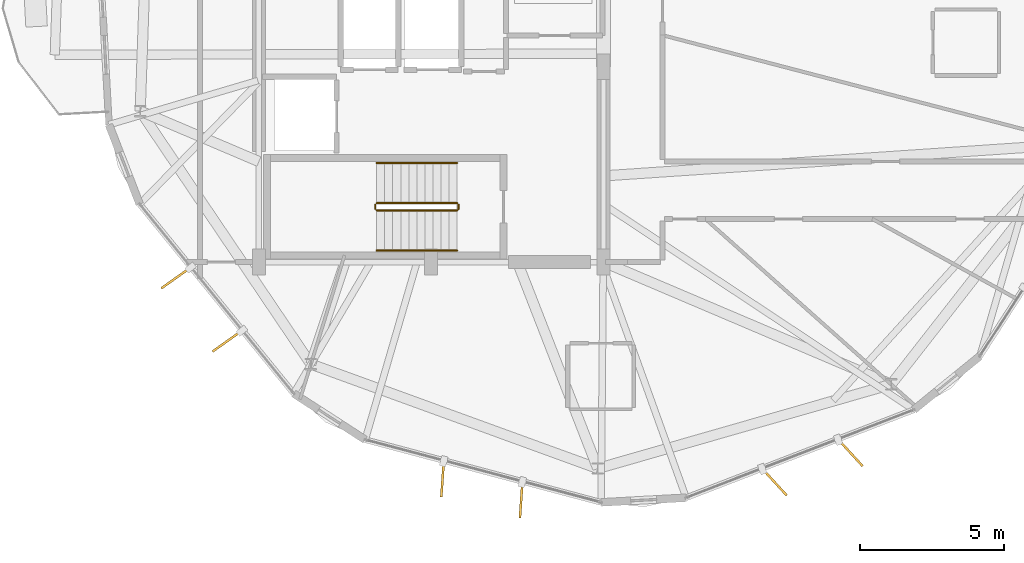
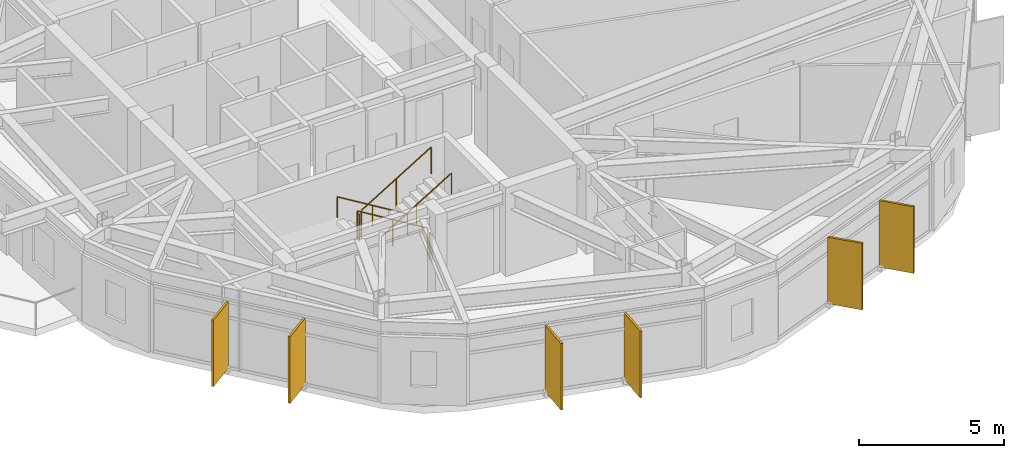
# One storey, part 24 of 26: 6 railings, 6 shading devices.
"""IFC4 building model written with IfcOpenShell, lengths in metres."""

from ifc_helpers import new_model, si_unit, direction, frame, origin, origin_2d, place, context, subcontext, project, spatial, rectangle, circle, extrude, material, layer, layer_set, type_object, element, save


model = new_model("IFC4")

# Units and contexts
model_context = context("Model", 3, precision=1e-05, world=origin(), true_north=direction((0.0, 1.0)))
body_context = subcontext(model_context, "Body", "Model", "MODEL_VIEW")
ifc_project = project(units=[si_unit("LENGTHUNIT", "METRE"), si_unit("AREAUNIT", "SQUARE_METRE"), si_unit("VOLUMEUNIT", "CUBIC_METRE"), si_unit("PLANEANGLEUNIT", "RADIAN"), si_unit("MASSUNIT", "GRAM", prefix="KILO")], contexts=[model_context])

# Site, building, storey
site_placement = place(None, origin())
site = spatial("IfcSite", under=ifc_project, at=site_placement, CompositionType="ELEMENT")
building_placement = place(site_placement, origin())
building = spatial("IfcBuilding", under=site, at=building_placement, Name="Soratama Intermodal Tower", CompositionType="ELEMENT")
storey_placement = place(building_placement, frame((0.0, 0.0, 242.5)))
storey = spatial("IfcBuildingStorey", under=building, at=storey_placement, Name="L61", CompositionType="ELEMENT", Elevation=242.5)

# Railings
ifc_material_1 = material(Name="Painted steel stair guardrail", Category="steel")
railing_type_1 = type_object("IfcRailingType", Name="RL-STAIR-GUARD", PredefinedType="GUARDRAIL", material=ifc_material_1)
railing_1_placement = place(storey_placement, frame((39.5, 17.050048828125, 0.17041015625)))
element("IfcRailing", 1, at=railing_1_placement, inside=storey, type_object=railing_type_1, Name="L61 ST-1 stair guard 1", PredefinedType="GUARDRAIL", context=body_context, shape_type="SweptSolid", body=[
    extrude(circle(Radius=0.02392578125, at=origin_2d()), frame((0.0, 0.0, 1.1259765625), z_axis=(-0.854169791009, 0.0, 0.51999420009), x_axis=(0.0, -1.0, 0.0)), (0.0, 0.0, 1.0), 3.278076171875),
    extrude(circle(Radius=0.02099609375, at=origin_2d()), origin(), (0.0, 0.0, 1.0), 1.101806640625),
    extrude(circle(Radius=0.02099609375, at=origin_2d()), frame((-1.39990234375, 0.0, 0.852294921875)), (0.0, 0.0, 1.0), 1.101806640625),
    extrude(circle(Radius=0.02099609375, at=origin_2d()), frame((-2.800048828125, 0.0, 1.70458984375)), (0.0, 0.0, 1.0), 1.101806640625),
])
railing_2_placement = place(storey_placement, frame((36.64990234375, 17.0, 1.875)))
element("IfcRailing", 2, at=railing_2_placement, inside=storey, type_object=railing_type_1, Name="L61 ST-1 stair guard 2", PredefinedType="GUARDRAIL", context=body_context, shape_type="SweptSolid", body=[
    extrude(circle(Radius=0.02392578125, at=origin_2d()), frame((0.0, 0.0, 1.1259765625), z_axis=(0.0, -1.0, 0.0), x_axis=(1.0, 0.0, 0.0)), (0.0, 0.0, 1.0), 0.14990234375),
    extrude(circle(Radius=0.02099609375, at=origin_2d()), origin(), (0.0, 0.0, 1.0), 1.101806640625),
    extrude(circle(Radius=0.02099609375, at=origin_2d()), frame((0.0, -0.14990234375, 0.0)), (0.0, 0.0, 1.0), 1.101806640625),
])
railing_3_placement = place(storey_placement, frame((36.699951171875, 16.800048828125, 2.04541015625)))
element("IfcRailing", 3, at=railing_3_placement, inside=storey, type_object=railing_type_1, Name="L61 ST-1 stair guard 3", PredefinedType="GUARDRAIL", context=body_context, shape_type="SweptSolid", body=[
    extrude(circle(Radius=0.02392578125, at=origin_2d()), frame((0.0, 0.0, 1.1259765625), z_axis=(0.854169791009, 0.0, 0.51999420009), x_axis=(0.0, 1.0, 0.0)), (0.0, 0.0, 1.0), 3.278076171875),
    extrude(circle(Radius=0.02099609375, at=origin_2d()), origin(), (0.0, 0.0, 1.0), 1.101806640625),
    extrude(circle(Radius=0.02099609375, at=origin_2d()), frame((1.39990234375, 0.0, 0.852294921875)), (0.0, 0.0, 1.0), 1.101806640625),
    extrude(circle(Radius=0.02099609375, at=origin_2d()), frame((2.800048828125, 0.0, 1.70458984375)), (0.0, 0.0, 1.0), 1.101806640625),
])
railing_4_placement = place(storey_placement, frame((39.550048828125, 17.0, 0.0)))
element("IfcRailing", 4, at=railing_4_placement, inside=storey, type_object=railing_type_1, Name="L61 ST-1 stair guard 4", PredefinedType="GUARDRAIL", context=body_context, shape_type="SweptSolid", body=[
    extrude(circle(Radius=0.02392578125, at=origin_2d()), frame((0.0, 0.0, 1.1259765625), z_axis=(0.0, -1.0, 0.0), x_axis=(1.0, 0.0, 0.0)), (0.0, 0.0, 1.0), 0.14990234375),
    extrude(circle(Radius=0.02099609375, at=origin_2d()), origin(), (0.0, 0.0, 1.0), 1.101806640625),
    extrude(circle(Radius=0.02099609375, at=origin_2d()), frame((0.0, -0.14990234375, 0.0)), (0.0, 0.0, 1.0), 1.101806640625),
])
ifc_material_2 = material(Name="Brushed stainless steel handrail", Category="steel")
railing_type_2 = type_object("IfcRailingType", Name="RL-STAIR-HAND", PredefinedType="HANDRAIL", material=ifc_material_2)
railing_5_placement = place(storey_placement, frame((39.5, 18.449951171875, 0.17041015625)))
element("IfcRailing", 5, at=railing_5_placement, inside=storey, type_object=railing_type_2, Name="L61 ST-1 stair handrail 1", PredefinedType="HANDRAIL", context=body_context, shape_type="SweptSolid", body=[
    extrude(circle(Radius=0.02392578125, at=origin_2d()), frame((0.0, 0.0, 0.8759765625), z_axis=(-0.854169791009, 0.0, 0.51999420009), x_axis=(0.0, -1.0, 0.0)), (0.0, 0.0, 1.0), 3.278076171875),
    extrude(circle(Radius=0.02099609375, at=origin_2d()), origin(), (0.0, 0.0, 1.0), 0.851806640625),
    extrude(circle(Radius=0.02099609375, at=origin_2d()), frame((-1.39990234375, 0.0, 0.852294921875)), (0.0, 0.0, 1.0), 0.851806640625),
    extrude(circle(Radius=0.02099609375, at=origin_2d()), frame((-2.800048828125, 0.0, 1.70458984375)), (0.0, 0.0, 1.0), 0.851806640625),
])
railing_6_placement = place(storey_placement, frame((36.699951171875, 15.39990234375, 2.04541015625)))
element("IfcRailing", 6, at=railing_6_placement, inside=storey, type_object=railing_type_2, Name="L61 ST-1 stair handrail 2", PredefinedType="HANDRAIL", context=body_context, shape_type="SweptSolid", body=[
    extrude(circle(Radius=0.02392578125, at=origin_2d()), frame((0.0, 0.0, 0.8759765625), z_axis=(0.854169791009, 0.0, 0.51999420009), x_axis=(0.0, 1.0, 0.0)), (0.0, 0.0, 1.0), 3.278076171875),
    extrude(circle(Radius=0.02099609375, at=origin_2d()), origin(), (0.0, 0.0, 1.0), 0.851806640625),
    extrude(circle(Radius=0.02099609375, at=origin_2d()), frame((1.39990234375, 0.0, 0.852294921875)), (0.0, 0.0, 1.0), 0.851806640625),
    extrude(circle(Radius=0.02099609375, at=origin_2d()), frame((2.800048828125, 0.0, 1.70458984375)), (0.0, 0.0, 1.0), 0.851806640625),
])

# Shading devices
ifc_material_3 = material(Name="Champagne anodised aluminium solar fin", Category="aluminium")
ifc_layer = layer(ifc_material_3, 0.080078125)
ifc_layer_set = layer_set([ifc_layer], Name="Champagne anodised aluminium solar fin")
shading_device_type = type_object("IfcShadingDeviceType", Name="SH-FIN-1250", PredefinedType="USERDEFINED", material=ifc_layer_set)
for number, where, z_axis, x_axis, name in (
    (7, (29.70849609375, 14.4443359375, 0.02001953125), (0.0, 0.0, 1.0), (-0.815430994891, -0.57885429304, 0.0), "L61 Solar Fin F05-1"),
    (8, (31.49609375, 12.246337890625, 0.02001953125), (0.0, 0.0, 1.0), (-0.815430994891, -0.57885429304, 0.0), "L61 Solar Fin F05-2"),
    (9, (38.99462890625, 7.440185546875, 0.02001953125), (0.0, 0.0, 1.0), (-0.069408253958, -0.997588339087, 0.0), "L61 Solar Fin F06-1"),
    (10, (41.73291015625, 6.71240234375, 0.02001953125), (0.0, 0.0, 1.0), (-0.069408253958, -0.997588339087, 0.0), "L61 Solar Fin F06-2"),
    (11, (50.556884765625, 7.335205078125, 0.02001953125), (0.0, 0.0, 1.0), (0.675590207616, -0.73727733681, 0.0), "L61 Solar Fin F07-1"),
    (12, (53.19970703125, 8.356201171875, 0.02001953125), (0.0, 0.0, 1.0), (0.675590207616, -0.73727733681, 0.0), "L61 Solar Fin F07-2"),
):
    element("IfcShadingDevice", number, at=place(storey_placement, frame(where, z_axis=z_axis, x_axis=x_axis)), inside=storey, type_object=shading_device_type, Name=name, ObjectType="FIN", PredefinedType="USERDEFINED", context=body_context, shape_type="SweptSolid", body=[
        extrude(rectangle(XDim=1.25, YDim=0.080078125, at=origin_2d()), origin(), (0.0, 0.0, 1.0), 2.80908203125),
    ])

save(model, "model.ifc")
